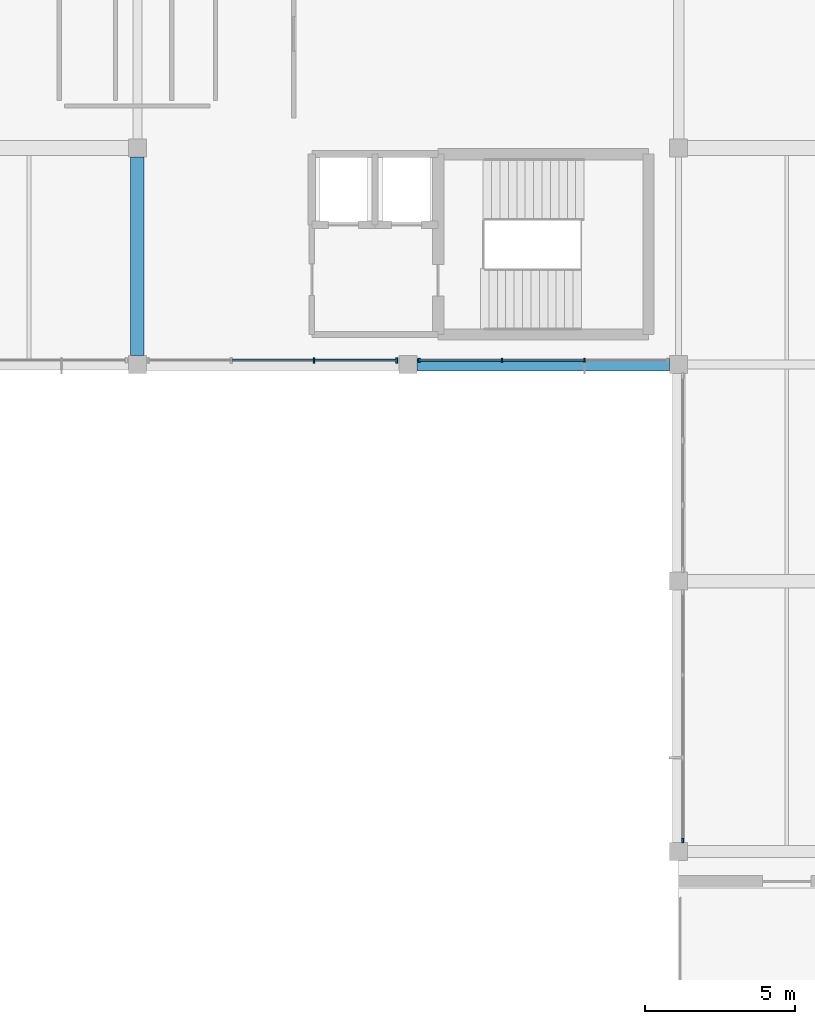
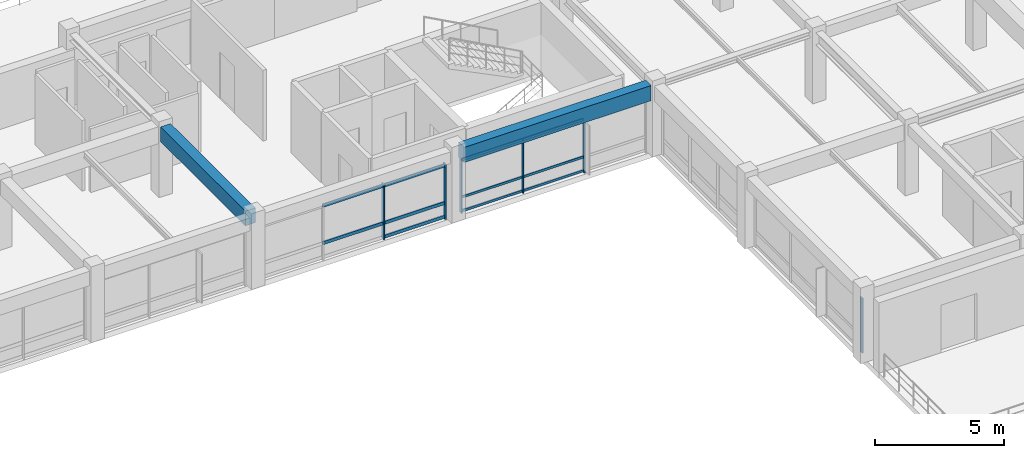
# One storey, part 3 of 12: 17 members, 2 beams, 3 elements without a shape of their own.
"""IFC4 building model written with IfcOpenShell, lengths in metres."""

from ifc_helpers import new_model, si_unit, direction, frame, origin, origin_2d, place, context, subcontext, project, spatial, rectangle, extrude, material, material_profile, profile_set, type_object, element, aggregate, save


model = new_model("IFC4")

# Units and contexts
model_context = context("Model", 3, precision=1e-05, world=origin(), true_north=direction((0.0, 1.0)))
body_context = subcontext(model_context, "Body", "Model", "MODEL_VIEW")
ifc_project = project(units=[si_unit("LENGTHUNIT", "METRE"), si_unit("AREAUNIT", "SQUARE_METRE"), si_unit("VOLUMEUNIT", "CUBIC_METRE"), si_unit("PLANEANGLEUNIT", "RADIAN"), si_unit("MASSUNIT", "GRAM", prefix="KILO")], contexts=[model_context])

# Site, building, storey
site_placement = place(None, origin())
site = spatial("IfcSite", under=ifc_project, at=site_placement, CompositionType="ELEMENT")
building_placement = place(site_placement, origin())
building = spatial("IfcBuilding", under=site, at=building_placement, Name="Clarverna Civic Hall", CompositionType="ELEMENT")
storey_placement = place(building_placement, frame((0.0, 0.0, 24.0)))
storey = spatial("IfcBuildingStorey", under=building, at=storey_placement, Name="L06", CompositionType="ELEMENT", Elevation=24.0)

# Beams
ifc_material_1 = material(Name="Concrete C35/45", Category="concrete")
ifc_material_profile_1 = material_profile(ifc_material_1, rectangle(XDim=0.449951171875, YDim=0.699951171875, at=origin_2d()), Name="RC 450x700")
ifc_profile_set_1 = profile_set([ifc_material_profile_1], Name="Concrete C35/45")
beam_type_1 = type_object("IfcBeamType", Name="B-RC4", PredefinedType="BEAM", material=ifc_profile_set_1)
beam_1_placement = place(storey_placement, frame((129.60009765625, 95.300048828125, 2.989990234375), z_axis=(0.0, 1.0, 0.0), x_axis=(-1.0, 0.0, 0.0)))
element("IfcBeam", 1, at=beam_1_placement, inside=storey, type_object=beam_type_1, Name="B-RC4-032", PredefinedType="BEAM", context=body_context, shape_type="SweptSolid", body=[
    extrude(rectangle(XDim=0.449951171875, YDim=0.699951171875, at=origin_2d()), origin(), (0.0, 0.0, 1.0), 6.599853515625),
])
ifc_material_profile_2 = material_profile(ifc_material_1, rectangle(XDim=0.419921875, YDim=0.719970703125, at=origin_2d()), Name="RC 420x720")
ifc_profile_set_2 = profile_set([ifc_material_profile_2], Name="Concrete C35/45")
beam_type_2 = type_object("IfcBeamType", Name="B-SP1", PredefinedType="SPANDREL", material=ifc_profile_set_2)
beam_2_placement = place(storey_placement, frame((138.89990234375, 95.0, 2.97998046875), z_axis=(1.0, 0.0, 0.0), x_axis=(0.0, 1.0, 0.0)))
element("IfcBeam", 2, at=beam_2_placement, inside=storey, type_object=beam_type_2, Name="B-SP1-151", PredefinedType="SPANDREL", context=body_context, shape_type="SweptSolid", body=[
    extrude(rectangle(XDim=0.419921875, YDim=0.719970703125, at=origin_2d()), origin(), (0.0, 0.0, 1.0), 8.400146484375),
])

# Curtain wall, members
ifc_material_2 = material(Name="Anodised Bronze Architectural Aluminium", Category="aluminium")
curtain_wall_type = type_object("IfcCurtainWallType", Name="CW-01", PredefinedType="USERDEFINED", material=ifc_material_2)
curtain_wall_1_placement = place(storey_placement, origin())
curtain_wall_1 = element("IfcCurtainWall", 3, at=curtain_wall_1_placement, inside=storey, type_object=curtain_wall_type, Name="CW-01-123", ObjectType="UNITISED CURTAIN WALL", PredefinedType="USERDEFINED")
ifc_material_profile_3 = material_profile(ifc_material_2, rectangle(XDim=0.06005859375, YDim=0.179931640625, at=origin_2d()), Name="BRONZE 60x180")
ifc_profile_set_3 = profile_set([ifc_material_profile_3], Name="Anodised Bronze Architectural Aluminium")
member_type_1 = type_object("IfcMemberType", Name="CWM-01", PredefinedType="MULLION", material=ifc_profile_set_3)
member_1_placement = place(storey_placement, frame((138.22705078125, 95.139892578125, 0.0), z_axis=(0.0, 0.0, 1.0), x_axis=(1.0, 0.0, 0.0)))
member_1 = element("IfcMember", 4, at=member_1_placement, type_object=member_type_1, Name="CWM-01-220", PredefinedType="MULLION", context=body_context, shape_type="SweptSolid", body=[
    extrude(rectangle(XDim=0.06005859375, YDim=0.179931640625, at=origin_2d()), origin(), (0.0, 0.0, 1.0), 2.6201171875),
])
member_2_placement = place(storey_placement, frame((135.4755859375, 95.139892578125, 0.0), z_axis=(0.0, 0.0, 1.0), x_axis=(1.0, 0.0, 0.0)))
member_2 = element("IfcMember", 5, at=member_2_placement, type_object=member_type_1, Name="CWM-01-221", PredefinedType="MULLION", context=body_context, shape_type="SweptSolid", body=[
    extrude(rectangle(XDim=0.06005859375, YDim=0.179931640625, at=origin_2d()), origin(), (0.0, 0.0, 1.0), 2.6201171875),
])

# Curtain wall, member
curtain_wall_2_placement = place(storey_placement, origin())
curtain_wall_2 = element("IfcCurtainWall", 6, at=curtain_wall_2_placement, inside=storey, type_object=curtain_wall_type, Name="CW-01-120", ObjectType="UNITISED CURTAIN WALL", PredefinedType="USERDEFINED")
ifc_material_profile_4 = material_profile(ifc_material_2, rectangle(XDim=0.06005859375, YDim=0.159912109375, at=origin_2d()), Name="BRONZE 60x160")
ifc_profile_set_4 = profile_set([ifc_material_profile_4], Name="Anodised Bronze Architectural Aluminium")
member_type_2 = type_object("IfcMemberType", Name="CWM-02", PredefinedType="MULLION", material=ifc_profile_set_4)
member_3_placement = place(storey_placement, frame((147.739990234375, 79.173095703125, 0.0), z_axis=(0.0, 0.0, 1.0), x_axis=(1.0, 0.0, 0.0)))
member_3 = element("IfcMember", 7, at=member_3_placement, type_object=member_type_2, Name="CWM-02-233", PredefinedType="MULLION", context=body_context, shape_type="SweptSolid", body=[
    extrude(rectangle(XDim=0.06005859375, YDim=0.159912109375, at=origin_2d()), origin(), (0.0, 0.0, 1.0), 2.590087890625),
])
aggregate(curtain_wall_2, [member_3])

# Curtain wall, members
curtain_wall_3_placement = place(storey_placement, origin())
curtain_wall_3 = element("IfcCurtainWall", 8, at=curtain_wall_3_placement, inside=storey, type_object=curtain_wall_type, Name="CW-01-122", ObjectType="UNITISED CURTAIN WALL", PredefinedType="USERDEFINED")
ifc_material_profile_5 = material_profile(ifc_material_2, rectangle(XDim=0.054931640625, YDim=0.139892578125, at=origin_2d()), Name="BRONZE 55x140")
ifc_profile_set_5 = profile_set([ifc_material_profile_5], Name="Anodised Bronze Architectural Aluminium")
member_type_3 = type_object("IfcMemberType", Name="CWM-04", PredefinedType="MULLION", material=ifc_profile_set_5)
member_4_placement = place(storey_placement, frame((144.4755859375, 95.139892578125, 0.0), z_axis=(0.0, 0.0, 1.0), x_axis=(1.0, 0.0, 0.0)))
member_4 = element("IfcMember", 9, at=member_4_placement, type_object=member_type_3, Name="CWM-04-234", PredefinedType="MULLION", context=body_context, shape_type="SweptSolid", body=[
    extrude(rectangle(XDim=0.054931640625, YDim=0.139892578125, at=origin_2d()), origin(), (0.0, 0.0, 1.0), 2.6201171875),
])
member_5_placement = place(storey_placement, frame((141.724365234375, 95.139892578125, 0.0), z_axis=(0.0, 0.0, 1.0), x_axis=(1.0, 0.0, 0.0)))
member_5 = element("IfcMember", 10, at=member_5_placement, type_object=member_type_3, Name="CWM-04-235", PredefinedType="MULLION", context=body_context, shape_type="SweptSolid", body=[
    extrude(rectangle(XDim=0.054931640625, YDim=0.139892578125, at=origin_2d()), origin(), (0.0, 0.0, 1.0), 2.6201171875),
])
member_6_placement = place(storey_placement, frame((138.972900390625, 95.139892578125, 0.0), z_axis=(0.0, 0.0, 1.0), x_axis=(1.0, 0.0, 0.0)))
member_6 = element("IfcMember", 11, at=member_6_placement, type_object=member_type_3, Name="CWM-04-236", PredefinedType="MULLION", context=body_context, shape_type="SweptSolid", body=[
    extrude(rectangle(XDim=0.054931640625, YDim=0.139892578125, at=origin_2d()), origin(), (0.0, 0.0, 1.0), 2.6201171875),
])

# Member
ifc_material_profile_6 = material_profile(ifc_material_2, rectangle(XDim=0.06005859375, YDim=0.14990234375, at=origin_2d()), Name="BRONZE 60x150")
ifc_profile_set_6 = profile_set([ifc_material_profile_6], Name="Anodised Bronze Architectural Aluminium")
member_type_4 = type_object("IfcMemberType", Name="CWT-01", PredefinedType="USERDEFINED", material=ifc_profile_set_6)
member_7_placement = place(storey_placement, frame((138.2119140625, 95.139892578125, 0.094970703125), z_axis=(-1.0, 0.0, 0.0), x_axis=(0.0, -1.0, 0.0)))
member_7 = element("IfcMember", 12, at=member_7_placement, type_object=member_type_4, Name="CWT-01-469", ObjectType="TRANSOM", PredefinedType="USERDEFINED", context=body_context, shape_type="SweptSolid", body=[
    extrude(rectangle(XDim=0.06005859375, YDim=0.14990234375, at=origin_2d()), origin(), (0.0, 0.0, 1.0), 2.72119140625),
])

member_8_placement = place(storey_placement, frame((138.2119140625, 95.139892578125, 0.75), z_axis=(-1.0, 0.0, 0.0), x_axis=(0.0, -1.0, 0.0)))
member_8 = element("IfcMember", 13, at=member_8_placement, type_object=member_type_4, Name="CWT-01-470", ObjectType="TRANSOM", PredefinedType="USERDEFINED", context=body_context, shape_type="SweptSolid", body=[
    extrude(rectangle(XDim=0.06005859375, YDim=0.14990234375, at=origin_2d()), origin(), (0.0, 0.0, 1.0), 2.72119140625),
])

member_9_placement = place(storey_placement, frame((138.2119140625, 95.139892578125, 2.52490234375), z_axis=(-1.0, 0.0, 0.0), x_axis=(0.0, -1.0, 0.0)))
member_9 = element("IfcMember", 14, at=member_9_placement, type_object=member_type_4, Name="CWT-01-471", ObjectType="TRANSOM", PredefinedType="USERDEFINED", context=body_context, shape_type="SweptSolid", body=[
    extrude(rectangle(XDim=0.06005859375, YDim=0.14990234375, at=origin_2d()), origin(), (0.0, 0.0, 1.0), 2.72119140625),
])

member_10_placement = place(storey_placement, frame((135.460693359375, 95.139892578125, 0.75), z_axis=(-1.0, 0.0, 0.0), x_axis=(0.0, -1.0, 0.0)))
member_10 = element("IfcMember", 15, at=member_10_placement, type_object=member_type_4, Name="CWT-01-473", ObjectType="TRANSOM", PredefinedType="USERDEFINED", context=body_context, shape_type="SweptSolid", body=[
    extrude(rectangle(XDim=0.06005859375, YDim=0.14990234375, at=origin_2d()), origin(), (0.0, 0.0, 1.0), 2.721435546875),
])

member_11_placement = place(storey_placement, frame((135.460693359375, 95.139892578125, 2.52490234375), z_axis=(-1.0, 0.0, 0.0), x_axis=(0.0, -1.0, 0.0)))
member_11 = element("IfcMember", 16, at=member_11_placement, type_object=member_type_4, Name="CWT-01-474", ObjectType="TRANSOM", PredefinedType="USERDEFINED", context=body_context, shape_type="SweptSolid", body=[
    extrude(rectangle(XDim=0.06005859375, YDim=0.14990234375, at=origin_2d()), origin(), (0.0, 0.0, 1.0), 2.721435546875),
])

aggregate(curtain_wall_1, [member_1, member_2, member_7, member_8, member_9, member_10, member_11])

ifc_material_profile_7 = material_profile(ifc_material_2, rectangle(XDim=0.054931640625, YDim=0.110107421875, at=origin_2d()), Name="BRONZE 55x110")
ifc_profile_set_7 = profile_set([ifc_material_profile_7], Name="Anodised Bronze Architectural Aluminium")
member_type_5 = type_object("IfcMemberType", Name="CWT-04", PredefinedType="USERDEFINED", material=ifc_profile_set_7)
member_12_placement = place(storey_placement, frame((144.460693359375, 95.139892578125, 0.094970703125), z_axis=(-1.0, 0.0, 0.0), x_axis=(0.0, -1.0, 0.0)))
member_12 = element("IfcMember", 17, at=member_12_placement, type_object=member_type_5, Name="CWT-04-499", ObjectType="TRANSOM", PredefinedType="USERDEFINED", context=body_context, shape_type="SweptSolid", body=[
    extrude(rectangle(XDim=0.054931640625, YDim=0.110107421875, at=origin_2d()), origin(), (0.0, 0.0, 1.0), 2.721435546875),
])

member_13_placement = place(storey_placement, frame((144.460693359375, 95.139892578125, 0.75), z_axis=(-1.0, 0.0, 0.0), x_axis=(0.0, -1.0, 0.0)))
member_13 = element("IfcMember", 18, at=member_13_placement, type_object=member_type_5, Name="CWT-04-500", ObjectType="TRANSOM", PredefinedType="USERDEFINED", context=body_context, shape_type="SweptSolid", body=[
    extrude(rectangle(XDim=0.054931640625, YDim=0.110107421875, at=origin_2d()), origin(), (0.0, 0.0, 1.0), 2.721435546875),
])

member_14_placement = place(storey_placement, frame((144.460693359375, 95.139892578125, 2.52490234375), z_axis=(-1.0, 0.0, 0.0), x_axis=(0.0, -1.0, 0.0)))
member_14 = element("IfcMember", 19, at=member_14_placement, type_object=member_type_5, Name="CWT-04-501", ObjectType="TRANSOM", PredefinedType="USERDEFINED", context=body_context, shape_type="SweptSolid", body=[
    extrude(rectangle(XDim=0.054931640625, YDim=0.110107421875, at=origin_2d()), origin(), (0.0, 0.0, 1.0), 2.721435546875),
])

member_15_placement = place(storey_placement, frame((141.709228515625, 95.139892578125, 0.094970703125), z_axis=(-1.0, 0.0, 0.0), x_axis=(0.0, -1.0, 0.0)))
member_15 = element("IfcMember", 20, at=member_15_placement, type_object=member_type_5, Name="CWT-04-502", ObjectType="TRANSOM", PredefinedType="USERDEFINED", context=body_context, shape_type="SweptSolid", body=[
    extrude(rectangle(XDim=0.054931640625, YDim=0.110107421875, at=origin_2d()), origin(), (0.0, 0.0, 1.0), 2.72119140625),
])

member_16_placement = place(storey_placement, frame((141.709228515625, 95.139892578125, 0.75), z_axis=(-1.0, 0.0, 0.0), x_axis=(0.0, -1.0, 0.0)))
member_16 = element("IfcMember", 21, at=member_16_placement, type_object=member_type_5, Name="CWT-04-503", ObjectType="TRANSOM", PredefinedType="USERDEFINED", context=body_context, shape_type="SweptSolid", body=[
    extrude(rectangle(XDim=0.054931640625, YDim=0.110107421875, at=origin_2d()), origin(), (0.0, 0.0, 1.0), 2.72119140625),
])

member_17_placement = place(storey_placement, frame((141.709228515625, 95.139892578125, 2.52490234375), z_axis=(-1.0, 0.0, 0.0), x_axis=(0.0, -1.0, 0.0)))
member_17 = element("IfcMember", 22, at=member_17_placement, type_object=member_type_5, Name="CWT-04-504", ObjectType="TRANSOM", PredefinedType="USERDEFINED", context=body_context, shape_type="SweptSolid", body=[
    extrude(rectangle(XDim=0.054931640625, YDim=0.110107421875, at=origin_2d()), origin(), (0.0, 0.0, 1.0), 2.72119140625),
])

aggregate(curtain_wall_3, [member_4, member_5, member_6, member_12, member_13, member_14, member_15, member_16, member_17])

save(model, "model.ifc")
